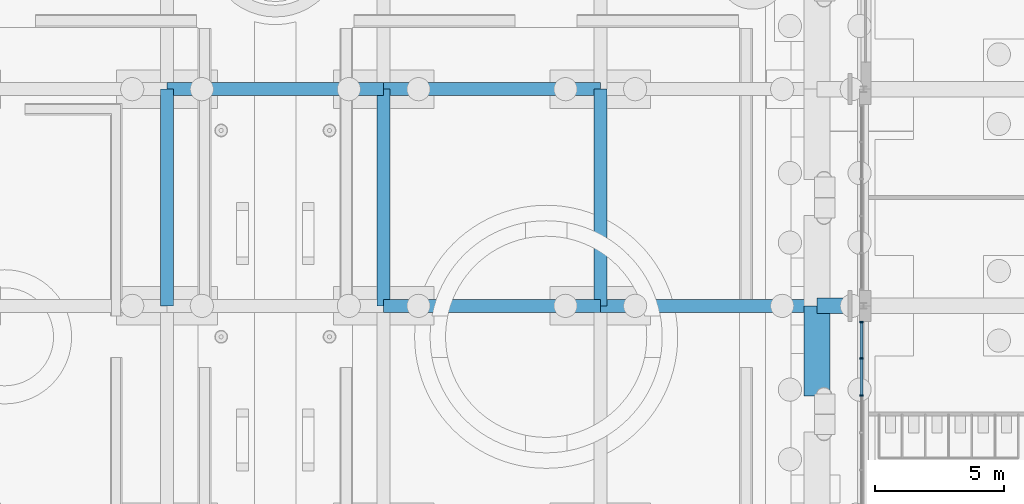
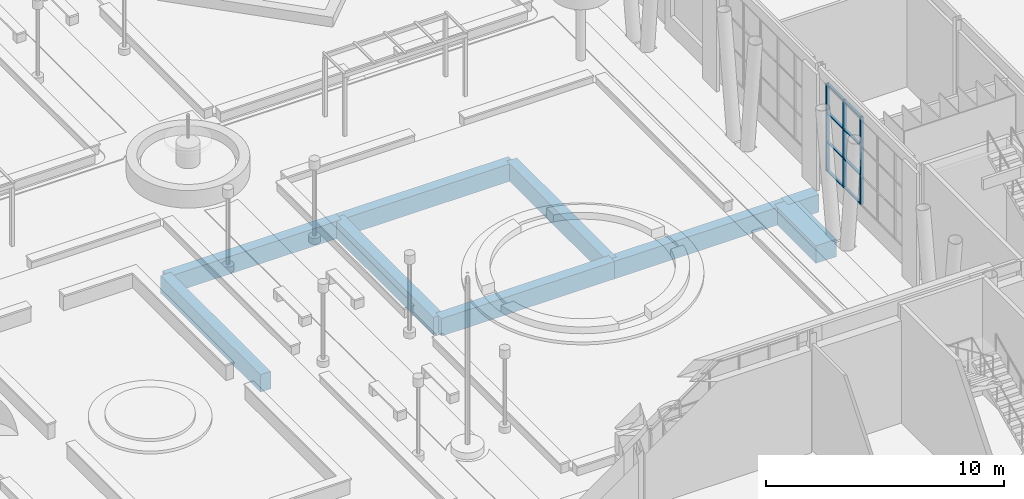
# One storey, part 44 of 222: 11 members, 9 beams, 1 element without a shape of its own.
"""IFC4 building model written with IfcOpenShell, lengths in metres."""

from ifc_helpers import new_model, si_unit, direction, frame, origin, origin_2d, place, context, subcontext, project, spatial, rectangle, extrude, material, material_profile, profile_set, type_object, element, aggregate, save


model = new_model("IFC4")

# Units and contexts
model_context = context("Model", 3, precision=1e-05, world=origin(), true_north=direction((0.0, 1.0)))
body_context = subcontext(model_context, "Body", "Model", "MODEL_VIEW")
ifc_project = project(units=[si_unit("LENGTHUNIT", "METRE"), si_unit("AREAUNIT", "SQUARE_METRE"), si_unit("VOLUMEUNIT", "CUBIC_METRE"), si_unit("PLANEANGLEUNIT", "RADIAN"), si_unit("MASSUNIT", "GRAM", prefix="KILO")], contexts=[model_context])

# Site, building, storey
site_placement = place(None, origin())
site = spatial("IfcSite", under=ifc_project, at=site_placement, CompositionType="ELEMENT")
building_placement = place(site_placement, origin())
building = spatial("IfcBuilding", under=site, at=building_placement, Name="Sava Quay Ferry Terminal", CompositionType="ELEMENT")
storey_placement = place(building_placement, origin())
storey = spatial("IfcBuildingStorey", under=building, at=storey_placement, Name="L00", CompositionType="ELEMENT", Elevation=0.0)

# Curtain wall, members
ifc_material_1 = material(Name="Aluminium and glass curtain wall, double low-e glazed", Category="aluminium")
curtain_wall_type = type_object("IfcCurtainWallType", Name="Curtain wall CW-F flank", PredefinedType="NOTDEFINED", material=ifc_material_1)
curtain_wall_placement = place(storey_placement, origin())
curtain_wall = element("IfcCurtainWall", 1, at=curtain_wall_placement, inside=storey, type_object=curtain_wall_type, Name="Curtain wall D-W L00 bay 2", PredefinedType="NOTDEFINED")
ifc_material_2 = material(Name="Aluminium EN AW-6063 T6", Category="aluminium")
ifc_material_profile_1 = material_profile(ifc_material_2, rectangle(XDim=0.14990234375, YDim=0.06005859375, at=origin_2d()), Name="Mullion 60x150 aluminium")
ifc_profile_set_1 = profile_set([ifc_material_profile_1], Name="Aluminium EN AW-6063 T6")
member_type_1 = type_object("IfcMemberType", Name="Mullion 60x150 aluminium", PredefinedType="MULLION", material=ifc_profile_set_1)
member_1_placement = place(storey_placement, frame((43.72509765625, 63.719970703125, 0.89990234375), z_axis=(0.0, 0.0, 1.0), x_axis=(-1.0, 0.0, 0.0)))
member_1 = element("IfcMember", 2, at=member_1_placement, type_object=member_type_1, Name="CW99 mullion 4", PredefinedType="MULLION", context=body_context, shape_type="SweptSolid", body=[
    extrude(rectangle(XDim=0.14990234375, YDim=0.06005859375, at=origin_2d()), origin(), (0.0, 0.0, 1.0), 4.5),
])
member_2_placement = place(storey_placement, frame((43.72509765625, 65.159912109375, 0.89990234375), z_axis=(0.0, 0.0, 1.0), x_axis=(-1.0, 0.0, 0.0)))
member_2 = element("IfcMember", 3, at=member_2_placement, type_object=member_type_1, Name="CW99 mullion 5", PredefinedType="MULLION", context=body_context, shape_type="SweptSolid", body=[
    extrude(rectangle(XDim=0.14990234375, YDim=0.06005859375, at=origin_2d()), origin(), (0.0, 0.0, 1.0), 4.5),
])
member_3_placement = place(storey_placement, frame((43.72509765625, 66.570068359375, 0.89990234375), z_axis=(0.0, 0.0, 1.0), x_axis=(-1.0, 0.0, 0.0)))
member_3 = element("IfcMember", 4, at=member_3_placement, type_object=member_type_1, Name="CW99 mullion 6", PredefinedType="MULLION", context=body_context, shape_type="SweptSolid", body=[
    extrude(rectangle(XDim=0.14990234375, YDim=0.06005859375, at=origin_2d()), origin(), (0.0, 0.0, 1.0), 4.5),
])

# Beams
ifc_material_3 = material(Name="Concrete C40/50", Category="concrete")
ifc_material_profile_2 = material_profile(ifc_material_3, rectangle(XDim=1.0, YDim=0.89990234375, at=origin_2d()), Name="RC 1000x900")
ifc_profile_set_2 = profile_set([ifc_material_profile_2], Name="Concrete C40/50")
beam_type_1 = type_object("IfcBeamType", Name="RC deck beam 1000x900", PredefinedType="BEAM", material=ifc_profile_set_2)
beam_1_placement = place(storey_placement, frame((42.0, 63.699951171875, -0.89990234375), z_axis=(0.0, 1.0, 0.0), x_axis=(-1.0, 0.0, 0.0)))
element("IfcBeam", 5, at=beam_1_placement, inside=storey, type_object=beam_type_1, Name="Deck beam Y42-58.8", PredefinedType="BEAM", context=body_context, shape_type="SweptSolid", body=[
    extrude(rectangle(XDim=1.0, YDim=0.89990234375, at=origin_2d()), origin(), (0.0, 0.0, 1.0), 3.5),
])
ifc_material_4 = material(Name="Concrete C40/50", Category="concrete")
ifc_material_profile_3 = material_profile(ifc_material_4, rectangle(XDim=0.5, YDim=0.89990234375, at=origin_2d()), Name="RC 500x900")
ifc_profile_set_3 = profile_set([ifc_material_profile_3], Name="Concrete C40/50")
beam_type_2 = type_object("IfcBeamType", Name="RC deck beam 500x900", PredefinedType="BEAM", material=ifc_profile_set_3)
beam_2_placement = place(storey_placement, frame((25.199951171875, 67.199951171875, -0.89990234375), z_axis=(1.0, 0.0, 0.0), x_axis=(0.0, 1.0, 0.0)))
element("IfcBeam", 6, at=beam_2_placement, inside=storey, type_object=beam_type_2, Name="Deck beam X67.2-25.2", PredefinedType="BEAM", context=body_context, shape_type="SweptSolid", body=[
    extrude(rectangle(XDim=0.5, YDim=0.89990234375, at=origin_2d()), origin(), (0.0, 0.0, 1.0), 8.400146484375),
])
for number, where, z_axis, x_axis, name in (
    (7, (33.60009765625, 67.199951171875, -0.89990234375), (1.0, 0.0, 0.0), (0.0, 1.0, 0.0), "Deck beam X67.2-33.6"),
    (8, (16.800048828125, 75.60009765625, -0.89990234375), (1.0, 0.0, 0.0), (0.0, 1.0, 0.0), "Deck beam X75.6-16.8"),
):
    element("IfcBeam", number, at=place(storey_placement, frame(where, z_axis=z_axis, x_axis=x_axis)), inside=storey, type_object=beam_type_2, Name=name, PredefinedType="BEAM", context=body_context, shape_type="SweptSolid", body=[
        extrude(rectangle(XDim=0.5, YDim=0.89990234375, at=origin_2d()), origin(), (0.0, 0.0, 1.0), 8.39990234375),
    ])
for number, where, z_axis, x_axis, name in (
    (9, (25.199951171875, 75.60009765625, -0.89990234375), (1.0, 0.0, 0.0), (0.0, 1.0, 0.0), "Deck beam X75.6-25.2"),
    (10, (16.800048828125, 67.199951171875, -0.89990234375), (0.0, 1.0, 0.0), (-1.0, 0.0, 0.0), "Deck beam Y16.8-67.2"),
    (11, (25.199951171875, 67.199951171875, -0.89990234375), (0.0, 1.0, 0.0), (-1.0, 0.0, 0.0), "Deck beam Y25.2-67.2"),
    (12, (33.60009765625, 67.199951171875, -0.89990234375), (0.0, 1.0, 0.0), (-1.0, 0.0, 0.0), "Deck beam Y33.6-67.2"),
):
    element("IfcBeam", number, at=place(storey_placement, frame(where, z_axis=z_axis, x_axis=x_axis)), inside=storey, type_object=beam_type_2, Name=name, PredefinedType="BEAM", context=body_context, shape_type="SweptSolid", body=[
        extrude(rectangle(XDim=0.5, YDim=0.89990234375, at=origin_2d()), origin(), (0.0, 0.0, 1.0), 8.400146484375),
    ])
ifc_material_5 = material(Name="Concrete C40/50", Category="concrete")
ifc_material_profile_4 = material_profile(ifc_material_5, rectangle(XDim=0.60009765625, YDim=0.89990234375, at=origin_2d()), Name="RC 600x900")
ifc_profile_set_4 = profile_set([ifc_material_profile_4], Name="Concrete C40/50")
beam_type_3 = type_object("IfcBeamType", Name="RC deck beam 600x900", PredefinedType="BEAM", material=ifc_profile_set_4)
beam_3_placement = place(storey_placement, frame((42.0, 67.199951171875, -0.89990234375), z_axis=(1.0, 0.0, 0.0), x_axis=(0.0, 1.0, 0.0)))
element("IfcBeam", 13, at=beam_3_placement, inside=storey, type_object=beam_type_3, Name="Deck beam X67.2-42", PredefinedType="BEAM", context=body_context, shape_type="SweptSolid", body=[
    extrude(rectangle(XDim=0.60009765625, YDim=0.89990234375, at=origin_2d()), origin(), (0.0, 0.0, 1.0), 1.5),
])

# Member
ifc_material_6 = material(Name="Aluminium EN AW-6063 T6", Category="aluminium")
ifc_material_profile_5 = material_profile(ifc_material_6, rectangle(XDim=0.1201171875, YDim=0.050048828125, at=origin_2d()), Name="Transom 50x120 aluminium")
ifc_profile_set_5 = profile_set([ifc_material_profile_5], Name="Aluminium EN AW-6063 T6")
member_type_2 = type_object("IfcMemberType", Name="Transom 50x120 aluminium", PredefinedType="USERDEFINED", material=ifc_profile_set_5)
member_4_placement = place(storey_placement, frame((43.72509765625, 63.75, 0.925048828125), z_axis=(0.0, 1.0, 0.0), x_axis=(-1.0, 0.0, 0.0)))
member_4 = element("IfcMember", 14, at=member_4_placement, type_object=member_type_2, Name="CW99 transom 4.1", ObjectType="TRANSOM", PredefinedType="USERDEFINED", context=body_context, shape_type="SweptSolid", body=[
    extrude(rectangle(XDim=0.1201171875, YDim=0.050048828125, at=origin_2d()), origin(), (0.0, 0.0, 1.0), 1.3798828125),
])

member_5_placement = place(storey_placement, frame((43.72509765625, 63.75, 2.39990234375), z_axis=(0.0, 1.0, 0.0), x_axis=(-1.0, 0.0, 0.0)))
member_5 = element("IfcMember", 15, at=member_5_placement, type_object=member_type_2, Name="CW99 transom 4.2", ObjectType="TRANSOM", PredefinedType="USERDEFINED", context=body_context, shape_type="SweptSolid", body=[
    extrude(rectangle(XDim=0.1201171875, YDim=0.050048828125, at=origin_2d()), origin(), (0.0, 0.0, 1.0), 1.3798828125),
])

member_6_placement = place(storey_placement, frame((43.72509765625, 63.75, 3.89990234375), z_axis=(0.0, 1.0, 0.0), x_axis=(-1.0, 0.0, 0.0)))
member_6 = element("IfcMember", 16, at=member_6_placement, type_object=member_type_2, Name="CW99 transom 4.3", ObjectType="TRANSOM", PredefinedType="USERDEFINED", context=body_context, shape_type="SweptSolid", body=[
    extrude(rectangle(XDim=0.1201171875, YDim=0.050048828125, at=origin_2d()), origin(), (0.0, 0.0, 1.0), 1.3798828125),
])

member_7_placement = place(storey_placement, frame((43.72509765625, 63.75, 5.375), z_axis=(0.0, 1.0, 0.0), x_axis=(-1.0, 0.0, 0.0)))
member_7 = element("IfcMember", 17, at=member_7_placement, type_object=member_type_2, Name="CW99 transom 4.4", ObjectType="TRANSOM", PredefinedType="USERDEFINED", context=body_context, shape_type="SweptSolid", body=[
    extrude(rectangle(XDim=0.1201171875, YDim=0.050048828125, at=origin_2d()), origin(), (0.0, 0.0, 1.0), 1.3798828125),
])

member_8_placement = place(storey_placement, frame((43.72509765625, 65.18994140625, 0.925048828125), z_axis=(0.0, 1.0, 0.0), x_axis=(-1.0, 0.0, 0.0)))
member_8 = element("IfcMember", 18, at=member_8_placement, type_object=member_type_2, Name="CW99 transom 5.1", ObjectType="TRANSOM", PredefinedType="USERDEFINED", context=body_context, shape_type="SweptSolid", body=[
    extrude(rectangle(XDim=0.1201171875, YDim=0.050048828125, at=origin_2d()), origin(), (0.0, 0.0, 1.0), 1.35009765625),
])

member_9_placement = place(storey_placement, frame((43.72509765625, 65.18994140625, 2.39990234375), z_axis=(0.0, 1.0, 0.0), x_axis=(-1.0, 0.0, 0.0)))
member_9 = element("IfcMember", 19, at=member_9_placement, type_object=member_type_2, Name="CW99 transom 5.2", ObjectType="TRANSOM", PredefinedType="USERDEFINED", context=body_context, shape_type="SweptSolid", body=[
    extrude(rectangle(XDim=0.1201171875, YDim=0.050048828125, at=origin_2d()), origin(), (0.0, 0.0, 1.0), 1.35009765625),
])

member_10_placement = place(storey_placement, frame((43.72509765625, 65.18994140625, 3.89990234375), z_axis=(0.0, 1.0, 0.0), x_axis=(-1.0, 0.0, 0.0)))
member_10 = element("IfcMember", 20, at=member_10_placement, type_object=member_type_2, Name="CW99 transom 5.3", ObjectType="TRANSOM", PredefinedType="USERDEFINED", context=body_context, shape_type="SweptSolid", body=[
    extrude(rectangle(XDim=0.1201171875, YDim=0.050048828125, at=origin_2d()), origin(), (0.0, 0.0, 1.0), 1.35009765625),
])

member_11_placement = place(storey_placement, frame((43.72509765625, 65.18994140625, 5.375), z_axis=(0.0, 1.0, 0.0), x_axis=(-1.0, 0.0, 0.0)))
member_11 = element("IfcMember", 21, at=member_11_placement, type_object=member_type_2, Name="CW99 transom 5.4", ObjectType="TRANSOM", PredefinedType="USERDEFINED", context=body_context, shape_type="SweptSolid", body=[
    extrude(rectangle(XDim=0.1201171875, YDim=0.050048828125, at=origin_2d()), origin(), (0.0, 0.0, 1.0), 1.35009765625),
])

aggregate(curtain_wall, [member_1, member_2, member_3, member_4, member_5, member_6, member_7, member_8, member_9, member_10, member_11])

save(model, "model.ifc")
